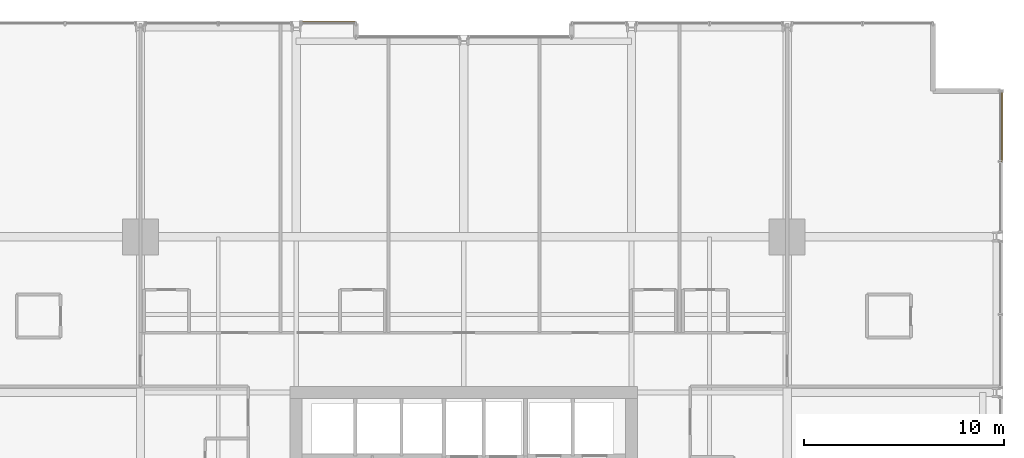
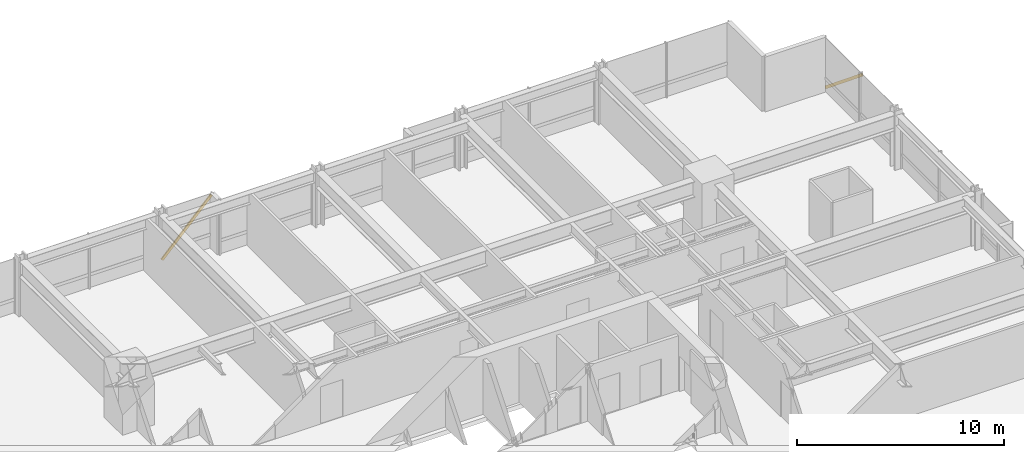
# One storey, part 39 of 39: 2 shading devices.
"""IFC4 building model written with IfcOpenShell, lengths in metres."""

from ifc_helpers import new_model, si_unit, direction, frame, origin, origin_2d, place, context, subcontext, project, spatial, hollow_rectangle, extrude, material, material_profile, profile_set, type_object, element, save


model = new_model("IFC4")

# Units and contexts
model_context = context("Model", 3, precision=1e-05, world=origin(), true_north=direction((0.0, 1.0)))
body_context = subcontext(model_context, "Body", "Model", "MODEL_VIEW")
ifc_project = project(units=[si_unit("LENGTHUNIT", "METRE"), si_unit("AREAUNIT", "SQUARE_METRE"), si_unit("VOLUMEUNIT", "CUBIC_METRE"), si_unit("PLANEANGLEUNIT", "RADIAN"), si_unit("MASSUNIT", "GRAM", prefix="KILO")], contexts=[model_context])

# Site, building, storey
site_placement = place(None, origin())
site = spatial("IfcSite", under=ifc_project, at=site_placement, CompositionType="ELEMENT")
building_placement = place(site_placement, origin())
building = spatial("IfcBuilding", under=site, at=building_placement, Name="Drelvath Grand Hotel", CompositionType="ELEMENT")
storey_placement = place(building_placement, frame((0.0, 0.0, 54.199951171875)))
storey = spatial("IfcBuildingStorey", under=building, at=storey_placement, Name="L12", CompositionType="ELEMENT", Elevation=54.199951171875)

# Shading devices
ifc_material = material(Name="Warm Bronze Anodised Aluminium", Category="aluminium")
ifc_material_profile = material_profile(ifc_material, hollow_rectangle(XDim=0.06494140625, YDim=0.159912109375, WallThickness=0.00390625, at=origin_2d()), Name="HSS160X65X4")
ifc_profile_set = profile_set([ifc_material_profile], Name="Warm Bronze Anodised Aluminium")
shading_device_type = type_object("IfcShadingDeviceType", Name="Diagonal Solar Fin Warm Bronze Anodised HSS160X65X4", PredefinedType="USERDEFINED", material=ifc_profile_set)
shading_device_1_placement = place(storey_placement, frame((26.9599609375, 50.5, 0.179931640625), z_axis=(0.0, -0.774782809762, 0.632227488882), x_axis=(1.0, 0.0, 0.0)))
element("IfcShadingDevice", 1, at=shading_device_1_placement, inside=storey, type_object=shading_device_type, Name="L12 Diagonal Anodised Fin CW02-L12-EN3", ObjectType="FIN", PredefinedType="USERDEFINED", context=body_context, shape_type="SweptSolid", body=[
    extrude(hollow_rectangle(XDim=0.06494140625, YDim=0.159912109375, WallThickness=0.00390625, at=origin_2d()), origin(), (0.0, 0.0, 1.0), 4.555419921875),
])
shading_device_2_placement = place(storey_placement, frame((-8.1591796875, 53.9599609375, 0.179931640625), z_axis=(0.691795011039, 0.0, 0.722093943128), x_axis=(0.0, 1.0, 0.0)))
element("IfcShadingDevice", 2, at=shading_device_2_placement, inside=storey, type_object=shading_device_type, Name="L12 Diagonal Anodised Fin CW02-L12-NW3", ObjectType="FIN", PredefinedType="USERDEFINED", context=body_context, shape_type="SweptSolid", body=[
    extrude(hollow_rectangle(XDim=0.06494140625, YDim=0.159912109375, WallThickness=0.00390625, at=origin_2d()), origin(), (0.0, 0.0, 1.0), 3.988525390625),
])

save(model, "model.ifc")
